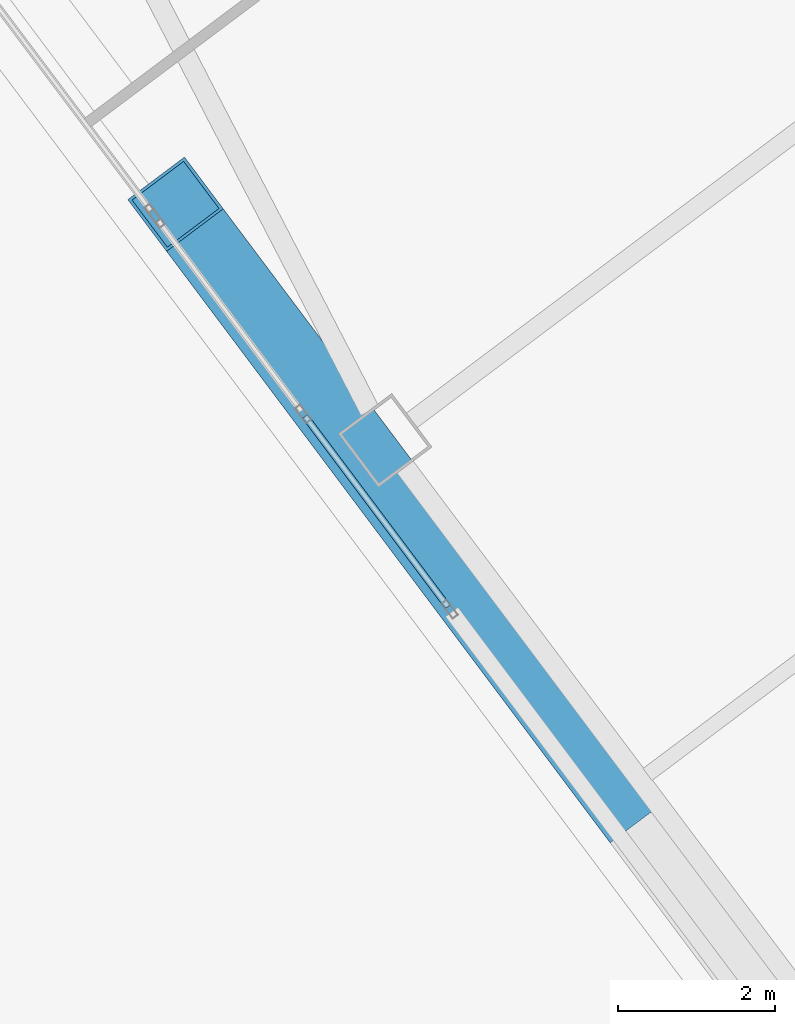
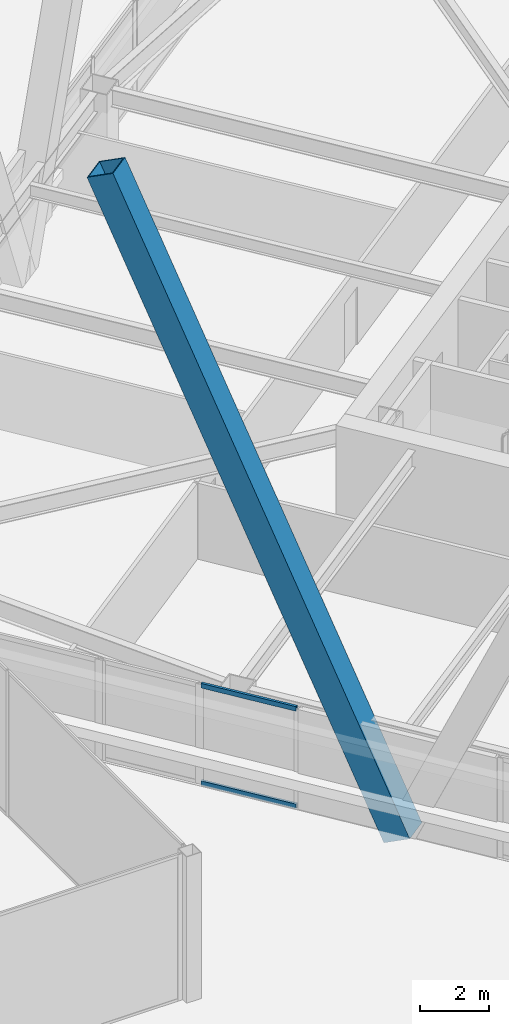
# One storey, part 30 of 83: 3 members, 1 element without a shape of its own.
"""IFC4 building model written with IfcOpenShell, lengths in metres."""

from ifc_helpers import new_model, si_unit, direction, frame, origin, origin_2d, place, context, subcontext, project, spatial, hollow_rectangle, extrude, material, material_profile, profile_set, type_object, element, aggregate, save


model = new_model("IFC4")

# Units and contexts
model_context = context("Model", 3, precision=1e-05, world=origin(), true_north=direction((0.0, 1.0)))
body_context = subcontext(model_context, "Body", "Model", "MODEL_VIEW")
ifc_project = project(units=[si_unit("LENGTHUNIT", "METRE"), si_unit("AREAUNIT", "SQUARE_METRE"), si_unit("VOLUMEUNIT", "CUBIC_METRE"), si_unit("PLANEANGLEUNIT", "RADIAN"), si_unit("MASSUNIT", "GRAM", prefix="KILO")], contexts=[model_context])

# Site, building, storey
site_placement = place(None, origin())
site = spatial("IfcSite", under=ifc_project, at=site_placement, CompositionType="ELEMENT")
building_placement = place(site_placement, origin())
building = spatial("IfcBuilding", under=site, at=building_placement, Name="Tashvorn Skyway Center", CompositionType="ELEMENT")
storey_placement = place(building_placement, frame((0.0, 0.0, 24.60009765625)))
storey = spatial("IfcBuildingStorey", under=building, at=storey_placement, Name="L05", CompositionType="ELEMENT", Elevation=24.60009765625)

# Curtain wall, members
ifc_material_1 = material(Name="Thermally broken bronze-anodized aluminium 6063-T6", Category="aluminium")
curtain_wall_type = type_object("IfcCurtainWallType", Name="CW-CW-Z1", PredefinedType="NOTDEFINED", material=ifc_material_1)
curtain_wall_placement = place(storey_placement, origin())
curtain_wall = element("IfcCurtainWall", 1, at=curtain_wall_placement, inside=storey, type_object=curtain_wall_type, Name="Tower 2 L05 West Unitised Curtain Wall Glazing Group 3", PredefinedType="NOTDEFINED")
ifc_material_profile_1 = material_profile(ifc_material_1, hollow_rectangle(XDim=0.0849609375, YDim=0.1650390625, WallThickness=0.0048828125, at=origin_2d()), Name="ALU-TRAN-85x165")
ifc_profile_set_1 = profile_set([ifc_material_profile_1], Name="Thermally broken bronze-anodized aluminium 6063-T6")
member_type_1 = type_object("IfcMemberType", Name="CWT-CW-Z1", PredefinedType="USERDEFINED", material=ifc_profile_set_1)
member_1_placement = place(storey_placement, frame((94.717041015625, 21.577392578125, 0.04248046875), z_axis=(-0.600012938206, 0.799990296182, 0.0), x_axis=(-0.799990296182, -0.600012938206, 0.0)))
member_1 = element("IfcMember", 2, at=member_1_placement, type_object=member_type_1, Name="CW-Z1 transom 1.1", ObjectType="TRANSOM", PredefinedType="USERDEFINED", context=body_context, shape_type="SweptSolid", body=[
    extrude(hollow_rectangle(XDim=0.0849609375, YDim=0.1650390625, WallThickness=0.0048828125, at=origin_2d()), origin(), (0.0, 0.0, 1.0), 3.01904296875),
])
member_2_placement = place(storey_placement, frame((94.717041015625, 21.577392578125, 3.50732421875), z_axis=(-0.600012938206, 0.799990296182, 0.0), x_axis=(-0.799990296182, -0.600012938206, 0.0)))
member_2 = element("IfcMember", 3, at=member_2_placement, type_object=member_type_1, Name="CW-Z1 transom 1.2", ObjectType="TRANSOM", PredefinedType="USERDEFINED", context=body_context, shape_type="SweptSolid", body=[
    extrude(hollow_rectangle(XDim=0.0849609375, YDim=0.1650390625, WallThickness=0.0048828125, at=origin_2d()), origin(), (0.0, 0.0, 1.0), 3.01904296875),
])
aggregate(curtain_wall, [member_1, member_2])

# Member
ifc_material_2 = material(Name="Steel ASTM A572 Grade 50", Category="steel")
ifc_material_profile_2 = material_profile(ifc_material_2, hollow_rectangle(XDim=0.89990234375, YDim=0.89990234375, WallThickness=0.0400390625, at=origin_2d()), Name="BOX900x900x40")
ifc_profile_set_2 = profile_set([ifc_material_profile_2], Name="Steel ASTM A572 Grade 50")
member_type_2 = type_object("IfcMemberType", Name="MEM-MB-900", PredefinedType="BRACE", material=ifc_profile_set_2)
member_3_placement = place(storey_placement, frame((96.89599609375, 19.172119140625, -0.22021484375), z_axis=(-0.244450706831, 0.3259307485, 0.91324312158), x_axis=(-0.799996883219, -0.600004155685, 0.0)))
element("IfcMember", 4, at=member_3_placement, inside=storey, type_object=member_type_2, Name="Tower 2 Zone 1 W Chevron Mega-Brace L1", PredefinedType="BRACE", context=body_context, shape_type="SweptSolid", body=[
    extrude(hollow_rectangle(XDim=0.89990234375, YDim=0.89990234375, WallThickness=0.0400390625, at=origin_2d()), origin(), (0.0, 0.0, 1.0), 23.07177734375),
])

save(model, "model.ifc")
